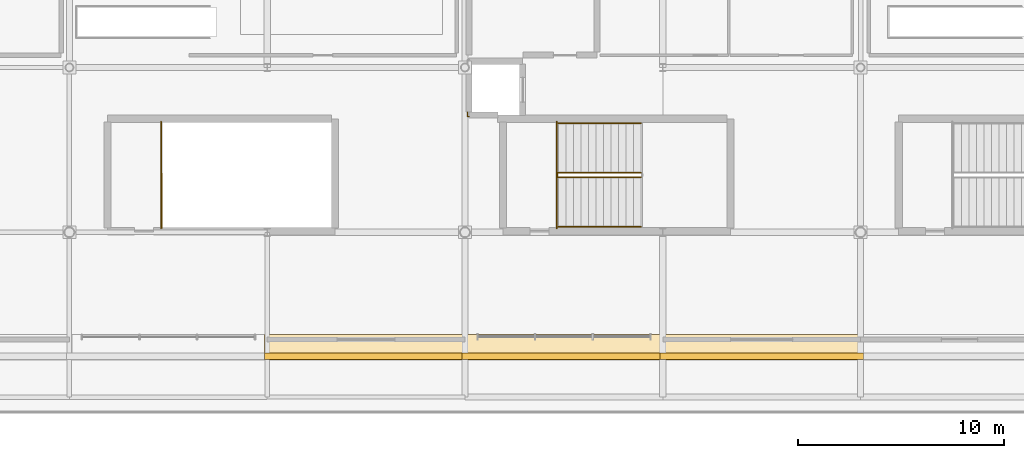
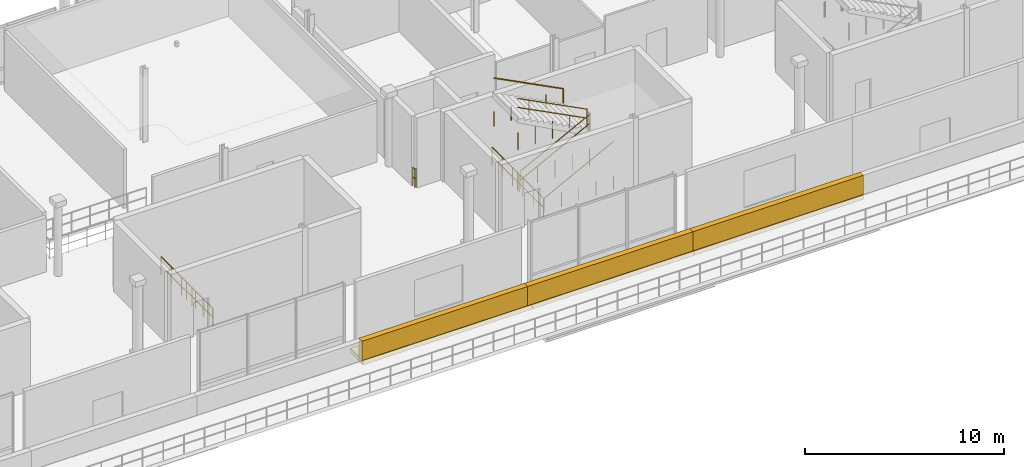
# One storey, part 22 of 26: 9 railings, 6 coverings.
"""IFC4 building model written with IfcOpenShell, lengths in metres."""

from ifc_helpers import new_model, si_unit, direction, frame, origin, origin_2d, place, context, subcontext, project, spatial, rectangle, circle, extrude, material, layer, layer_set, type_object, element, save


model = new_model("IFC4")

# Units and contexts
model_context = context("Model", 3, precision=1e-05, world=origin(), true_north=direction((0.0, 1.0)))
body_context = subcontext(model_context, "Body", "Model", "MODEL_VIEW")
ifc_project = project(units=[si_unit("LENGTHUNIT", "METRE"), si_unit("AREAUNIT", "SQUARE_METRE"), si_unit("VOLUMEUNIT", "CUBIC_METRE"), si_unit("PLANEANGLEUNIT", "RADIAN"), si_unit("MASSUNIT", "GRAM", prefix="KILO")], contexts=[model_context])

# Site, building, storey
site_placement = place(None, origin())
site = spatial("IfcSite", under=ifc_project, at=site_placement, CompositionType="ELEMENT")
building_placement = place(site_placement, origin())
building = spatial("IfcBuilding", under=site, at=building_placement, Name="Danafjord Basin Convention Centre", CompositionType="ELEMENT")
storey_placement = place(building_placement, frame((0.0, 0.0, 24.89990234375)))
storey = spatial("IfcBuildingStorey", under=building, at=storey_placement, Name="L05", CompositionType="ELEMENT", Elevation=24.89990234375)

# Coverings
ifc_material_1 = material(Name="Architectural white precast concrete C45/55", Category="concrete")
ifc_layer = layer(ifc_material_1, 0.320068359375)
ifc_layer_set = layer_set([ifc_layer], Name="Architectural white precast concrete C45/55")
covering_type = type_object("IfcCoveringType", Name="COV-BAND-HORIZ", PredefinedType="CLADDING", material=ifc_layer_set)
covering_1_placement = place(storey_placement, frame((43.199951171875, 10.425048828125, -0.27978515625), z_axis=(0.0, 0.0, 1.0), x_axis=(1.0, 0.0, 0.0)))
element("IfcCovering", 1, at=covering_1_placement, inside=storey, type_object=covering_type, Name="L05 stepped horizontal band soffit plate 52", PredefinedType="CLADDING", context=body_context, shape_type="SweptSolid", body=[
    extrude(rectangle(XDim=9.840087890625, YDim=1.25, at=origin_2d()), origin(), (0.0, 0.0, 1.0), 0.280029296875),
])
covering_2_placement = place(storey_placement, frame((43.199951171875, 9.989990234375, -0.23974609375), z_axis=(0.0, 0.0, 1.0), x_axis=(1.0, 0.0, 0.0)))
element("IfcCovering", 2, at=covering_2_placement, inside=storey, type_object=covering_type, Name="L05 layered horizontal white spandrel band 52", PredefinedType="CLADDING", context=body_context, shape_type="SweptSolid", body=[
    extrude(rectangle(XDim=9.8798828125, YDim=0.320068359375, at=origin_2d()), origin(), (0.0, 0.0, 1.0), 1.419921875),
])
covering_3_placement = place(storey_placement, frame((52.800048828125, 10.425048828125, -0.27978515625), z_axis=(0.0, 0.0, 1.0), x_axis=(1.0, 0.0, 0.0)))
element("IfcCovering", 3, at=covering_3_placement, inside=storey, type_object=covering_type, Name="L05 stepped horizontal band soffit plate 53", PredefinedType="CLADDING", context=body_context, shape_type="SweptSolid", body=[
    extrude(rectangle(XDim=9.840087890625, YDim=1.25, at=origin_2d()), origin(), (0.0, 0.0, 1.0), 0.280029296875),
])
covering_4_placement = place(storey_placement, frame((52.800048828125, 9.989990234375, -0.23974609375), z_axis=(0.0, 0.0, 1.0), x_axis=(1.0, 0.0, 0.0)))
element("IfcCovering", 4, at=covering_4_placement, inside=storey, type_object=covering_type, Name="L05 layered horizontal white spandrel band 53", PredefinedType="CLADDING", context=body_context, shape_type="SweptSolid", body=[
    extrude(rectangle(XDim=9.8798828125, YDim=0.320068359375, at=origin_2d()), origin(), (0.0, 0.0, 1.0), 1.419921875),
])
covering_5_placement = place(storey_placement, frame((62.39990234375, 10.425048828125, -0.27978515625), z_axis=(0.0, 0.0, 1.0), x_axis=(1.0, 0.0, 0.0)))
element("IfcCovering", 5, at=covering_5_placement, inside=storey, type_object=covering_type, Name="L05 stepped horizontal band soffit plate 54", PredefinedType="CLADDING", context=body_context, shape_type="SweptSolid", body=[
    extrude(rectangle(XDim=9.840087890625, YDim=1.25, at=origin_2d()), origin(), (0.0, 0.0, 1.0), 0.280029296875),
])
covering_6_placement = place(storey_placement, frame((62.39990234375, 9.989990234375, -0.23974609375), z_axis=(0.0, 0.0, 1.0), x_axis=(1.0, 0.0, 0.0)))
element("IfcCovering", 6, at=covering_6_placement, inside=storey, type_object=covering_type, Name="L05 layered horizontal white spandrel band 54", PredefinedType="CLADDING", context=body_context, shape_type="SweptSolid", body=[
    extrude(rectangle(XDim=9.8798828125, YDim=0.320068359375, at=origin_2d()), origin(), (0.0, 0.0, 1.0), 1.419921875),
])

# Railings
ifc_material_2 = material(Name="Laminated structural glass and stainless steel", Category="steel")
railing_type_1 = type_object("IfcRailingType", Name="RL-BAL-GLS", PredefinedType="BALUSTRADE", material=ifc_material_2)
railing_1_placement = place(storey_placement, frame((33.25, 21.375, 0.0)))
element("IfcRailing", 7, at=railing_1_placement, inside=storey, type_object=railing_type_1, Name="L05 safety guard balustrade 326", PredefinedType="BALUSTRADE", context=body_context, shape_type="SweptSolid", body=[
    extrude(circle(Radius=0.02392578125, at=origin_2d()), frame((0.0, 0.0, 1.1259765625), z_axis=(0.0, -1.0, 0.0), x_axis=(1.0, 0.0, 0.0)), (0.0, 0.0, 1.0), 5.18994140625),
    extrude(circle(Radius=0.02392578125, at=origin_2d()), frame((0.0, 0.0, 0.55078125), z_axis=(0.0, -1.0, 0.0), x_axis=(1.0, 0.0, 0.0)), (0.0, 0.0, 1.0), 5.18994140625),
    extrude(circle(Radius=0.02099609375, at=origin_2d()), origin(), (0.0, 0.0, 1.0), 1.099853515625),
    extrude(circle(Radius=0.02099609375, at=origin_2d()), frame((0.0, -1.0380859375, 0.0)), (0.0, 0.0, 1.0), 1.099853515625),
    extrude(circle(Radius=0.02099609375, at=origin_2d()), frame((0.0, -2.075927734375, 0.0)), (0.0, 0.0, 1.0), 1.099853515625),
    extrude(circle(Radius=0.02099609375, at=origin_2d()), frame((0.0, -3.114013671875, 0.0)), (0.0, 0.0, 1.0), 1.099853515625),
    extrude(circle(Radius=0.02099609375, at=origin_2d()), frame((0.0, -4.15185546875, 0.0)), (0.0, 0.0, 1.0), 1.099853515625),
    extrude(circle(Radius=0.02099609375, at=origin_2d()), frame((0.0, -5.18994140625, 0.0)), (0.0, 0.0, 1.0), 1.099853515625),
])
ifc_material_3 = material(Name="Galvanised and powder-coated steel S355", Category="steel")
railing_type_2 = type_object("IfcRailingType", Name="RL-BAL-STL", PredefinedType="BALUSTRADE", material=ifc_material_3)
railing_2_placement = place(storey_placement, frame((52.449951171875, 21.375, 0.0)))
element("IfcRailing", 8, at=railing_2_placement, inside=storey, type_object=railing_type_2, Name="L05 safety guard balustrade 323", PredefinedType="BALUSTRADE", context=body_context, shape_type="SweptSolid", body=[
    extrude(circle(Radius=0.02392578125, at=origin_2d()), frame((0.0, 0.0, 1.1259765625), z_axis=(0.0, -1.0, 0.0), x_axis=(1.0, 0.0, 0.0)), (0.0, 0.0, 1.0), 5.18994140625),
    extrude(circle(Radius=0.02392578125, at=origin_2d()), frame((0.0, 0.0, 0.55078125), z_axis=(0.0, -1.0, 0.0), x_axis=(1.0, 0.0, 0.0)), (0.0, 0.0, 1.0), 5.18994140625),
    extrude(circle(Radius=0.02099609375, at=origin_2d()), origin(), (0.0, 0.0, 1.0), 1.099853515625),
    extrude(circle(Radius=0.02099609375, at=origin_2d()), frame((0.0, -1.0380859375, 0.0)), (0.0, 0.0, 1.0), 1.099853515625),
    extrude(circle(Radius=0.02099609375, at=origin_2d()), frame((0.0, -2.075927734375, 0.0)), (0.0, 0.0, 1.0), 1.099853515625),
    extrude(circle(Radius=0.02099609375, at=origin_2d()), frame((0.0, -3.114013671875, 0.0)), (0.0, 0.0, 1.0), 1.099853515625),
    extrude(circle(Radius=0.02099609375, at=origin_2d()), frame((0.0, -4.15185546875, 0.0)), (0.0, 0.0, 1.0), 1.099853515625),
    extrude(circle(Radius=0.02099609375, at=origin_2d()), frame((0.0, -5.18994140625, 0.0)), (0.0, 0.0, 1.0), 1.099853515625),
])
railing_3_placement = place(storey_placement, frame((48.1201171875, 21.8349609375, 0.0)))
element("IfcRailing", 9, at=railing_3_placement, inside=storey, type_object=railing_type_2, Name="L05 safety guard balustrade 325", PredefinedType="BALUSTRADE", context=body_context, shape_type="SweptSolid", body=[
    extrude(circle(Radius=0.02392578125, at=origin_2d()), frame((0.0, 0.0, 1.1259765625), z_axis=(0.0, -1.0, 0.0), x_axis=(1.0, 0.0, 0.0)), (0.0, 0.0, 1.0), 0.21484375),
    extrude(circle(Radius=0.02392578125, at=origin_2d()), frame((0.0, 0.0, 0.55078125), z_axis=(0.0, -1.0, 0.0), x_axis=(1.0, 0.0, 0.0)), (0.0, 0.0, 1.0), 0.21484375),
    extrude(circle(Radius=0.02392578125, at=origin_2d()), frame((0.0, -0.21484375, 1.1259765625), z_axis=(1.0, 0.0, 0.0), x_axis=(0.0, 1.0, 0.0)), (0.0, 0.0, 1.0), 0.079833984375),
    extrude(circle(Radius=0.02392578125, at=origin_2d()), frame((0.0, -0.21484375, 0.55078125), z_axis=(1.0, 0.0, 0.0), x_axis=(0.0, 1.0, 0.0)), (0.0, 0.0, 1.0), 0.079833984375),
    extrude(circle(Radius=0.02099609375, at=origin_2d()), origin(), (0.0, 0.0, 1.0), 1.099853515625),
    extrude(circle(Radius=0.02099609375, at=origin_2d()), frame((0.0, -0.21484375, 0.0)), (0.0, 0.0, 1.0), 1.099853515625),
    extrude(circle(Radius=0.02099609375, at=origin_2d()), frame((0.079833984375, -0.21484375, 0.0)), (0.0, 0.0, 1.0), 1.099853515625),
])
ifc_material_4 = material(Name="Galvanised steel S355", Category="steel")
railing_type_3 = type_object("IfcRailingType", Name="RL-GD-WELL", PredefinedType="BALUSTRADE", material=ifc_material_4)
railing_4_placement = place(storey_placement, frame((52.530029296875, 18.659912109375, 0.1875)))
element("IfcRailing", 10, at=railing_4_placement, inside=storey, type_object=railing_type_3, Name="L05 ST-05 stair guard 1", PredefinedType="BALUSTRADE", context=body_context, shape_type="SweptSolid", body=[
    extrude(circle(Radius=0.02392578125, at=origin_2d()), frame((0.0, 0.0, 1.076171875), z_axis=(0.889495128042, 0.0, 0.456944654405), x_axis=(0.0, 1.0, 0.0)), (0.0, 0.0, 1.0), 4.513671875),
    extrude(circle(Radius=0.02392578125, at=origin_2d()), frame((0.0, 0.0, 0.52587890625), z_axis=(0.889495128042, 0.0, 0.456944654405), x_axis=(0.0, 1.0, 0.0)), (0.0, 0.0, 1.0), 4.513671875),
    extrude(circle(Radius=0.02099609375, at=origin_2d()), origin(), (0.0, 0.0, 1.0), 1.050048828125),
    extrude(circle(Radius=0.02099609375, at=origin_2d()), frame((1.003662109375, 0.0, 0.0)), (0.0, 0.0, 1.0), 1.050048828125),
    extrude(circle(Radius=0.02099609375, at=origin_2d()), frame((2.00732421875, 0.0, 0.0)), (0.0, 0.0, 1.0), 1.050048828125),
    extrude(circle(Radius=0.02099609375, at=origin_2d()), frame((3.01123046875, 0.0, 0.0)), (0.0, 0.0, 1.0), 1.050048828125),
    extrude(circle(Radius=0.02099609375, at=origin_2d()), frame((4.014892578125, 0.0, 0.0)), (0.0, 0.0, 1.0), 1.050048828125),
])
railing_5_placement = place(storey_placement, frame((56.544921875, 18.89990234375, 2.4375)))
element("IfcRailing", 11, at=railing_5_placement, inside=storey, type_object=railing_type_3, Name="L05 ST-05 stair guard 3", PredefinedType="BALUSTRADE", context=body_context, shape_type="SweptSolid", body=[
    extrude(circle(Radius=0.02392578125, at=origin_2d()), frame((0.0, 0.0, 1.076171875), z_axis=(-0.889495128042, 0.0, 0.456944654405), x_axis=(0.0, -1.0, 0.0)), (0.0, 0.0, 1.0), 4.513671875),
    extrude(circle(Radius=0.02392578125, at=origin_2d()), frame((0.0, 0.0, 0.52587890625), z_axis=(-0.889495128042, 0.0, 0.456944654405), x_axis=(0.0, -1.0, 0.0)), (0.0, 0.0, 1.0), 4.513671875),
    extrude(circle(Radius=0.02099609375, at=origin_2d()), origin(), (0.0, 0.0, 1.0), 1.050048828125),
    extrude(circle(Radius=0.02099609375, at=origin_2d()), frame((-1.003662109375, 0.0, 0.0)), (0.0, 0.0, 1.0), 1.050048828125),
    extrude(circle(Radius=0.02099609375, at=origin_2d()), frame((-2.00732421875, 0.0, 0.0)), (0.0, 0.0, 1.0), 1.050048828125),
    extrude(circle(Radius=0.02099609375, at=origin_2d()), frame((-3.01123046875, 0.0, 0.0)), (0.0, 0.0, 1.0), 1.050048828125),
    extrude(circle(Radius=0.02099609375, at=origin_2d()), frame((-4.014892578125, 0.0, 0.0)), (0.0, 0.0, 1.0), 1.050048828125),
])
railing_6_placement = place(storey_placement, frame((52.47998046875, 18.7099609375, 0.0)))
element("IfcRailing", 12, at=railing_6_placement, inside=storey, type_object=railing_type_3, Name="L05 ST-05 stair guard 4", PredefinedType="BALUSTRADE", context=body_context, shape_type="SweptSolid", body=[
    extrude(circle(Radius=0.02392578125, at=origin_2d()), frame((0.0, 0.0, 1.076171875), z_axis=(0.0, 1.0, 0.0), x_axis=(-1.0, 0.0, 0.0)), (0.0, 0.0, 1.0), 0.14013671875),
    extrude(circle(Radius=0.02392578125, at=origin_2d()), frame((0.0, 0.0, 0.52587890625), z_axis=(0.0, 1.0, 0.0), x_axis=(-1.0, 0.0, 0.0)), (0.0, 0.0, 1.0), 0.14013671875),
    extrude(circle(Radius=0.02099609375, at=origin_2d()), origin(), (0.0, 0.0, 1.0), 1.050048828125),
    extrude(circle(Radius=0.02099609375, at=origin_2d()), frame((0.0, 0.14013671875, 0.0)), (0.0, 0.0, 1.0), 1.050048828125),
])
railing_7_placement = place(storey_placement, frame((33.280029296875, 16.2099609375, 0.0)))
element("IfcRailing", 13, at=railing_7_placement, inside=storey, type_object=railing_type_3, Name="L05 ST-02 top well guard 1", PredefinedType="BALUSTRADE", context=body_context, shape_type="SweptSolid", body=[
    extrude(circle(Radius=0.02392578125, at=origin_2d()), frame((0.0, 0.0, 1.076171875), z_axis=(0.0, 1.0, 0.0), x_axis=(-1.0, 0.0, 0.0)), (0.0, 0.0, 1.0), 2.64013671875),
    extrude(circle(Radius=0.02392578125, at=origin_2d()), frame((0.0, 0.0, 0.52587890625), z_axis=(0.0, 1.0, 0.0), x_axis=(-1.0, 0.0, 0.0)), (0.0, 0.0, 1.0), 2.64013671875),
    extrude(circle(Radius=0.02099609375, at=origin_2d()), origin(), (0.0, 0.0, 1.0), 1.050048828125),
    extrude(circle(Radius=0.02099609375, at=origin_2d()), frame((0.0, 0.880126953125, 0.0)), (0.0, 0.0, 1.0), 1.050048828125),
    extrude(circle(Radius=0.02099609375, at=origin_2d()), frame((0.0, 1.760009765625, 0.0)), (0.0, 0.0, 1.0), 1.050048828125),
    extrude(circle(Radius=0.02099609375, at=origin_2d()), frame((0.0, 2.64013671875, 0.0)), (0.0, 0.0, 1.0), 1.050048828125),
])
ifc_material_5 = material(Name="Brushed stainless steel EN 1.4404", Category="steel")
railing_type_4 = type_object("IfcRailingType", Name="RL-HR-STAIR", PredefinedType="HANDRAIL", material=ifc_material_5)
railing_8_placement = place(storey_placement, frame((52.530029296875, 16.260009765625, 0.1875)))
element("IfcRailing", 14, at=railing_8_placement, inside=storey, type_object=railing_type_4, Name="L05 ST-05 stair handrail 1", PredefinedType="HANDRAIL", context=body_context, shape_type="SweptSolid", body=[
    extrude(circle(Radius=0.02392578125, at=origin_2d()), frame((0.0, 0.0, 0.8759765625), z_axis=(0.889495128042, 0.0, 0.456944654405), x_axis=(0.0, 1.0, 0.0)), (0.0, 0.0, 1.0), 4.513671875),
    extrude(circle(Radius=0.02099609375, at=origin_2d()), origin(), (0.0, 0.0, 1.0), 0.849853515625),
    extrude(circle(Radius=0.02099609375, at=origin_2d()), frame((1.003662109375, 0.0, 0.0)), (0.0, 0.0, 1.0), 0.849853515625),
    extrude(circle(Radius=0.02099609375, at=origin_2d()), frame((2.00732421875, 0.0, 0.0)), (0.0, 0.0, 1.0), 0.849853515625),
    extrude(circle(Radius=0.02099609375, at=origin_2d()), frame((3.01123046875, 0.0, 0.0)), (0.0, 0.0, 1.0), 0.849853515625),
    extrude(circle(Radius=0.02099609375, at=origin_2d()), frame((4.014892578125, 0.0, 0.0)), (0.0, 0.0, 1.0), 0.849853515625),
])
railing_9_placement = place(storey_placement, frame((56.544921875, 21.300048828125, 2.4375)))
element("IfcRailing", 15, at=railing_9_placement, inside=storey, type_object=railing_type_4, Name="L05 ST-05 stair handrail 2", PredefinedType="HANDRAIL", context=body_context, shape_type="SweptSolid", body=[
    extrude(circle(Radius=0.02392578125, at=origin_2d()), frame((0.0, 0.0, 0.8759765625), z_axis=(-0.889495128042, 0.0, 0.456944654405), x_axis=(0.0, -1.0, 0.0)), (0.0, 0.0, 1.0), 4.513671875),
    extrude(circle(Radius=0.02099609375, at=origin_2d()), origin(), (0.0, 0.0, 1.0), 0.849853515625),
    extrude(circle(Radius=0.02099609375, at=origin_2d()), frame((-1.003662109375, 0.0, 0.0)), (0.0, 0.0, 1.0), 0.849853515625),
    extrude(circle(Radius=0.02099609375, at=origin_2d()), frame((-2.00732421875, 0.0, 0.0)), (0.0, 0.0, 1.0), 0.849853515625),
    extrude(circle(Radius=0.02099609375, at=origin_2d()), frame((-3.01123046875, 0.0, 0.0)), (0.0, 0.0, 1.0), 0.849853515625),
    extrude(circle(Radius=0.02099609375, at=origin_2d()), frame((-4.014892578125, 0.0, 0.0)), (0.0, 0.0, 1.0), 0.849853515625),
])

save(model, "model.ifc")
